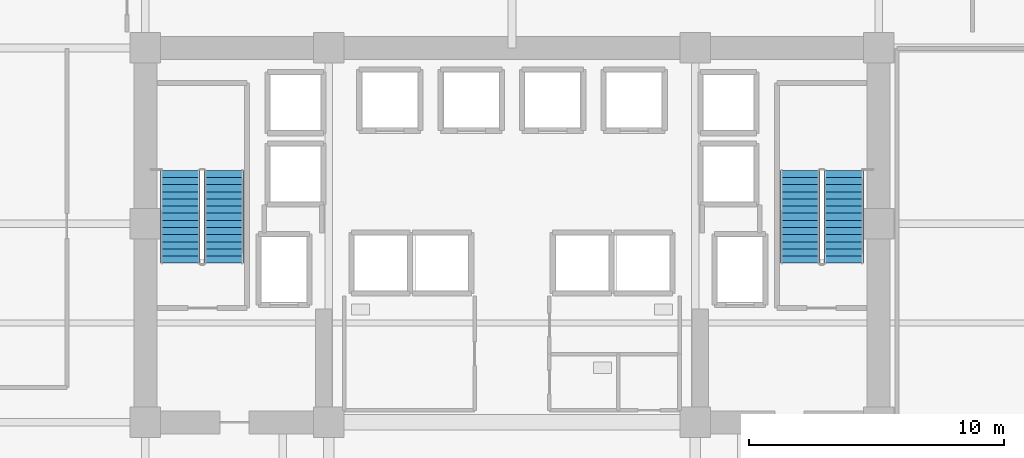
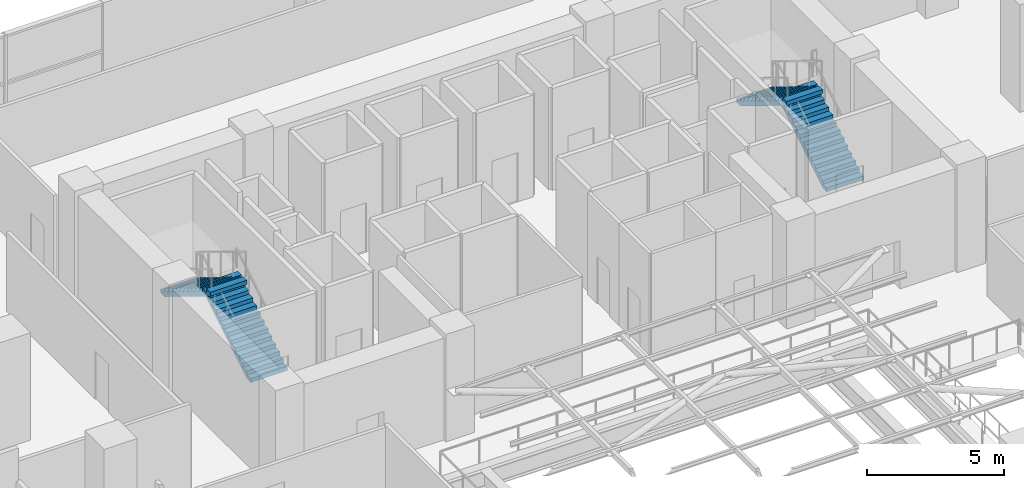
# One storey, part 18 of 22: 4 stair flights, 2 elements without a shape of their own.
"""IFC4 building model written with IfcOpenShell, lengths in metres."""

from ifc_helpers import new_model, si_unit, direction, frame, origin, place, context, subcontext, project, spatial, polyline, outline, extrude, material, type_object, element, aggregate, save


model = new_model("IFC4")

# Units and contexts
model_context = context("Model", 3, precision=1e-05, world=origin(), true_north=direction((0.0, 1.0)))
body_context = subcontext(model_context, "Body", "Model", "MODEL_VIEW")
ifc_project = project(units=[si_unit("LENGTHUNIT", "METRE"), si_unit("AREAUNIT", "SQUARE_METRE"), si_unit("VOLUMEUNIT", "CUBIC_METRE"), si_unit("PLANEANGLEUNIT", "RADIAN"), si_unit("MASSUNIT", "GRAM", prefix="KILO")], contexts=[model_context])

# Site, building, storey
site_placement = place(None, origin())
site = spatial("IfcSite", under=ifc_project, at=site_placement, CompositionType="ELEMENT")
building_placement = place(site_placement, origin())
building = spatial("IfcBuilding", under=site, at=building_placement, Name="Zarnakvel Exchange Tower", CompositionType="ELEMENT")
storey_placement = place(building_placement, frame((0.0, 0.0, 22.60009765625)))
storey = spatial("IfcBuildingStorey", under=building, at=storey_placement, Name="L05", CompositionType="ELEMENT", Elevation=22.60009765625)

# Stair, stair flights
ifc_material = material(Name="Concrete C40/50", Category="concrete")
stair_type = type_object("IfcStairType", Name="STR-01", PredefinedType="HALF_TURN_STAIR", material=ifc_material)
stair_1_placement = place(storey_placement, origin())
stair_1 = element("IfcStair", 1, at=stair_1_placement, inside=storey, type_object=stair_type, Name="L05 Protected Core Exit Stair ST-01", PredefinedType="HALF_TURN_STAIR")
stair_flight_type = type_object("IfcStairFlightType", Name="FLT-01", PredefinedType="STRAIGHT", material=ifc_material)
stair_flight_1_placement = place(storey_placement, frame((-11.31494140625, 5.050048828125, 0.0), z_axis=(0.0, 0.0, 1.0), x_axis=(0.0, 1.0, 0.0)))
stair_flight_1 = element("IfcStairFlight", 2, at=stair_flight_1_placement, type_object=stair_flight_type, Name="ST-01 flight 1", NumberOfRisers=14, NumberOfTreads=13, PredefinedType="STRAIGHT", RiserHeight=0.171428571, TreadLength=0.28, context=body_context, shape_type="SweptSolid", body=[
    extrude(outline(polyline([(0.0, 0.0), (0.0, 0.17138671875), (0.280029296875, 0.17138671875), (0.280029296875, 0.3427734375), (0.56005859375, 0.3427734375), (0.56005859375, 0.514404296875), (0.840087890625, 0.514404296875), (0.840087890625, 0.685791015625), (1.1201171875, 0.685791015625), (1.1201171875, 0.857177734375), (1.39990234375, 0.857177734375), (1.39990234375, 1.028564453125), (1.679931640625, 1.028564453125), (1.679931640625, 1.199951171875), (1.9599609375, 1.199951171875), (1.9599609375, 1.371337890625), (2.239990234375, 1.371337890625), (2.239990234375, 1.54296875), (2.52001953125, 1.54296875), (2.52001953125, 1.71435546875), (2.800048828125, 1.71435546875), (2.800048828125, 1.8857421875), (3.080078125, 1.8857421875), (3.080078125, 2.05712890625), (3.360107421875, 2.05712890625), (3.360107421875, 2.228515625), (3.639892578125, 2.228515625), (3.639892578125, 2.39990234375), (3.639892578125, 2.052734375), (0.287109375, 0.0), (0.0, 0.0)])), frame((0.0, 0.77490234375, 0.0), z_axis=(0.0, -1.0, 0.0), x_axis=(1.0, 0.0, 0.0)), (0.0, 0.0, 1.0), 1.550048828125),
])
stair_flight_2_placement = place(storey_placement, frame((-13.02490234375, 8.68994140625, 2.39990234375), z_axis=(0.0, 0.0, 1.0), x_axis=(0.0, -1.0, 0.0)))
stair_flight_2 = element("IfcStairFlight", 3, at=stair_flight_2_placement, type_object=stair_flight_type, Name="ST-01 flight 2", NumberOfRisers=14, NumberOfTreads=13, PredefinedType="STRAIGHT", RiserHeight=0.171428571, TreadLength=0.28, context=body_context, shape_type="SweptSolid", body=[
    extrude(outline(polyline([(0.0, 0.0), (0.0, 0.17138671875), (0.280029296875, 0.17138671875), (0.280029296875, 0.3427734375), (0.56005859375, 0.3427734375), (0.56005859375, 0.514404296875), (0.840087890625, 0.514404296875), (0.840087890625, 0.685791015625), (1.1201171875, 0.685791015625), (1.1201171875, 0.857177734375), (1.39990234375, 0.857177734375), (1.39990234375, 1.028564453125), (1.679931640625, 1.028564453125), (1.679931640625, 1.199951171875), (1.9599609375, 1.199951171875), (1.9599609375, 1.371337890625), (2.239990234375, 1.371337890625), (2.239990234375, 1.54296875), (2.52001953125, 1.54296875), (2.52001953125, 1.71435546875), (2.800048828125, 1.71435546875), (2.800048828125, 1.8857421875), (3.080078125, 1.8857421875), (3.080078125, 2.05712890625), (3.360107421875, 2.05712890625), (3.360107421875, 2.228515625), (3.639892578125, 2.228515625), (3.639892578125, 2.39990234375), (3.639892578125, 2.052734375), (0.287109375, 0.0), (0.0, 0.0)])), frame((0.0, 0.77490234375, 0.0), z_axis=(0.0, -1.0, 0.0), x_axis=(1.0, 0.0, 0.0)), (0.0, 0.0, 1.0), 1.550048828125),
])
aggregate(stair_1, [stair_flight_1, stair_flight_2])

stair_2_placement = place(storey_placement, origin())
stair_2 = element("IfcStair", 4, at=stair_2_placement, inside=storey, type_object=stair_type, Name="L05 Protected Core Exit Stair ST-02", PredefinedType="HALF_TURN_STAIR")
stair_flight_3_placement = place(storey_placement, frame((13.02490234375, 5.050048828125, 0.0), z_axis=(0.0, 0.0, 1.0), x_axis=(0.0, 1.0, 0.0)))
stair_flight_3 = element("IfcStairFlight", 5, at=stair_flight_3_placement, type_object=stair_flight_type, Name="ST-02 flight 1", NumberOfRisers=14, NumberOfTreads=13, PredefinedType="STRAIGHT", RiserHeight=0.171428571, TreadLength=0.28, context=body_context, shape_type="SweptSolid", body=[
    extrude(outline(polyline([(0.0, 0.0), (0.0, 0.17138671875), (0.280029296875, 0.17138671875), (0.280029296875, 0.3427734375), (0.56005859375, 0.3427734375), (0.56005859375, 0.514404296875), (0.840087890625, 0.514404296875), (0.840087890625, 0.685791015625), (1.1201171875, 0.685791015625), (1.1201171875, 0.857177734375), (1.39990234375, 0.857177734375), (1.39990234375, 1.028564453125), (1.679931640625, 1.028564453125), (1.679931640625, 1.199951171875), (1.9599609375, 1.199951171875), (1.9599609375, 1.371337890625), (2.239990234375, 1.371337890625), (2.239990234375, 1.54296875), (2.52001953125, 1.54296875), (2.52001953125, 1.71435546875), (2.800048828125, 1.71435546875), (2.800048828125, 1.8857421875), (3.080078125, 1.8857421875), (3.080078125, 2.05712890625), (3.360107421875, 2.05712890625), (3.360107421875, 2.228515625), (3.639892578125, 2.228515625), (3.639892578125, 2.39990234375), (3.639892578125, 2.052734375), (0.287109375, 0.0), (0.0, 0.0)])), frame((0.0, 0.77490234375, 0.0), z_axis=(0.0, -1.0, 0.0), x_axis=(1.0, 0.0, 0.0)), (0.0, 0.0, 1.0), 1.550048828125),
])
stair_flight_4_placement = place(storey_placement, frame((11.31494140625, 8.68994140625, 2.39990234375), z_axis=(0.0, 0.0, 1.0), x_axis=(0.0, -1.0, 0.0)))
stair_flight_4 = element("IfcStairFlight", 6, at=stair_flight_4_placement, type_object=stair_flight_type, Name="ST-02 flight 2", NumberOfRisers=14, NumberOfTreads=13, PredefinedType="STRAIGHT", RiserHeight=0.171428571, TreadLength=0.28, context=body_context, shape_type="SweptSolid", body=[
    extrude(outline(polyline([(0.0, 0.0), (0.0, 0.17138671875), (0.280029296875, 0.17138671875), (0.280029296875, 0.3427734375), (0.56005859375, 0.3427734375), (0.56005859375, 0.514404296875), (0.840087890625, 0.514404296875), (0.840087890625, 0.685791015625), (1.1201171875, 0.685791015625), (1.1201171875, 0.857177734375), (1.39990234375, 0.857177734375), (1.39990234375, 1.028564453125), (1.679931640625, 1.028564453125), (1.679931640625, 1.199951171875), (1.9599609375, 1.199951171875), (1.9599609375, 1.371337890625), (2.239990234375, 1.371337890625), (2.239990234375, 1.54296875), (2.52001953125, 1.54296875), (2.52001953125, 1.71435546875), (2.800048828125, 1.71435546875), (2.800048828125, 1.8857421875), (3.080078125, 1.8857421875), (3.080078125, 2.05712890625), (3.360107421875, 2.05712890625), (3.360107421875, 2.228515625), (3.639892578125, 2.228515625), (3.639892578125, 2.39990234375), (3.639892578125, 2.052734375), (0.287109375, 0.0), (0.0, 0.0)])), frame((0.0, 0.77490234375, 0.0), z_axis=(0.0, -1.0, 0.0), x_axis=(1.0, 0.0, 0.0)), (0.0, 0.0, 1.0), 1.550048828125),
])
aggregate(stair_2, [stair_flight_3, stair_flight_4])

save(model, "model.ifc")
